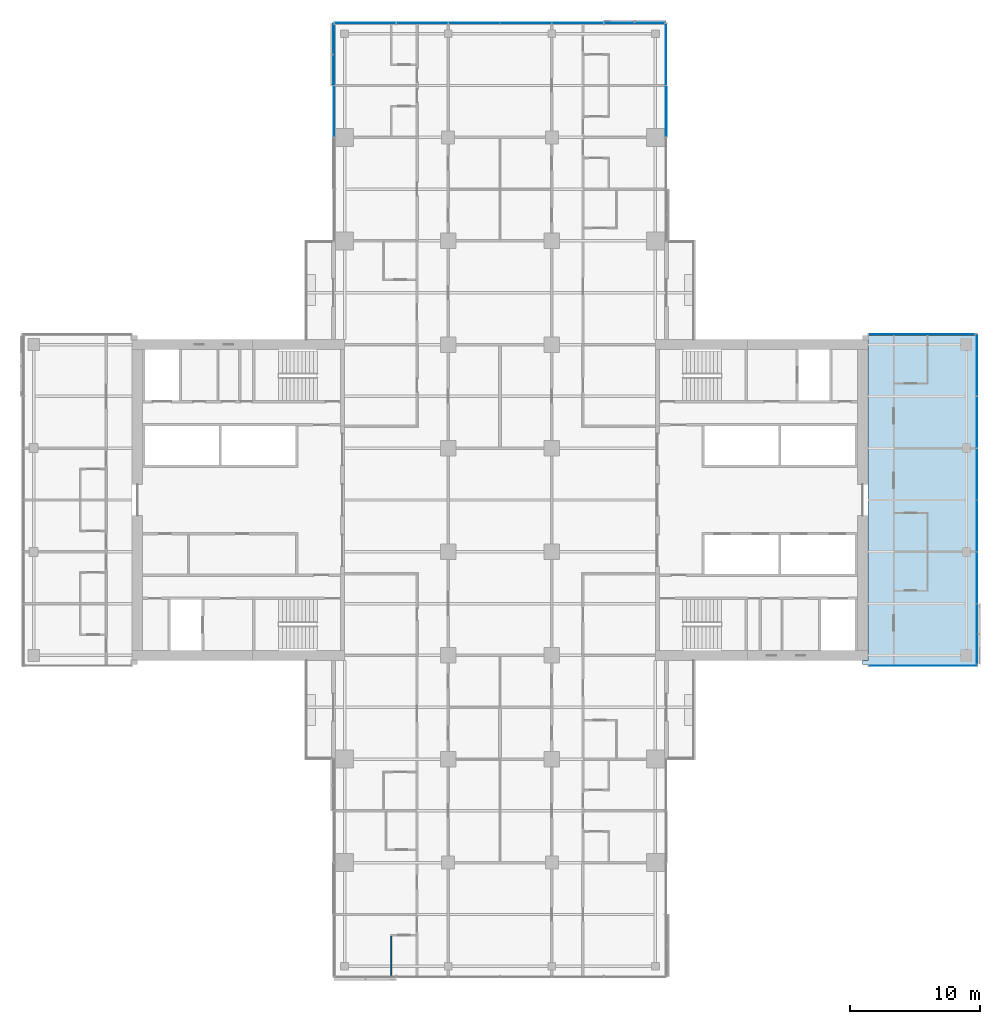
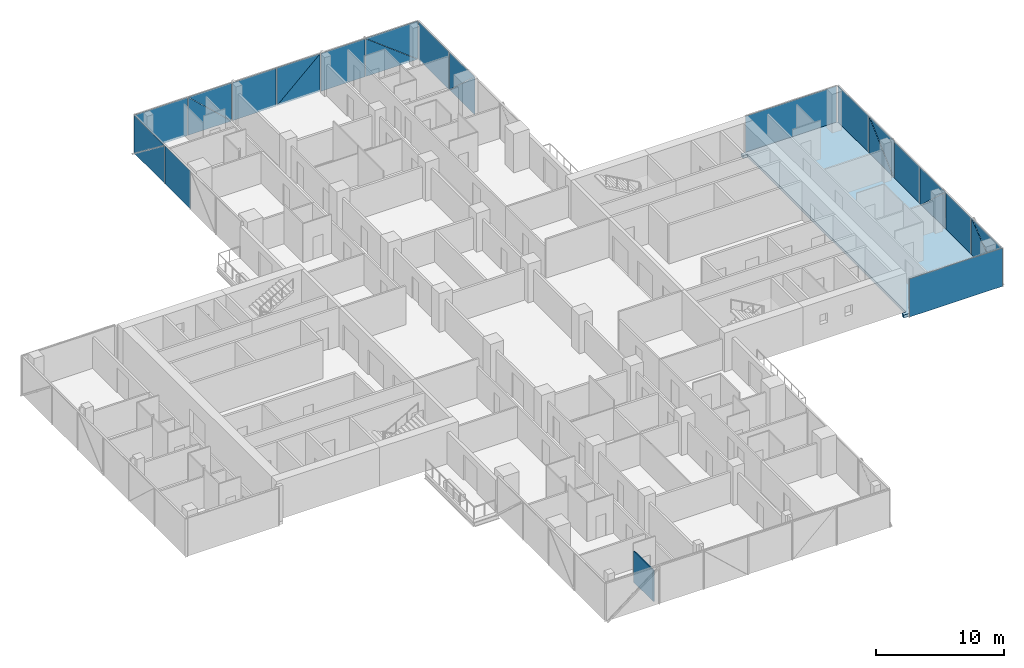
# One storey, part 14 of 27: 26 plates, 1 slab, 1 wall, 6 elements without a shape of their own.
"""IFC4 building model written with IfcOpenShell, lengths in metres."""

from ifc_helpers import new_model, si_unit, direction, frame, frame_2d, origin, place, context, subcontext, project, spatial, polyline, rectangle, outline, extrude, material, layer, layer_set, type_object, element, aggregate, save


model = new_model("IFC4")

# Units and contexts
model_context = context("Model", 3, precision=1e-05, world=origin(), true_north=direction((0.0, 1.0)))
body_context = subcontext(model_context, "Body", "Model", "MODEL_VIEW")
ifc_project = project(units=[si_unit("LENGTHUNIT", "METRE"), si_unit("AREAUNIT", "SQUARE_METRE"), si_unit("VOLUMEUNIT", "CUBIC_METRE"), si_unit("PLANEANGLEUNIT", "RADIAN"), si_unit("MASSUNIT", "GRAM", prefix="KILO")], contexts=[model_context])

# Site, building, storey
site_placement = place(None, origin())
site = spatial("IfcSite", under=ifc_project, at=site_placement, CompositionType="ELEMENT")
building_placement = place(site_placement, origin())
building = spatial("IfcBuilding", under=site, at=building_placement, Name="Crosswind Convention Tower", CompositionType="ELEMENT")
storey_placement = place(building_placement, frame((0.0, 0.0, 83.10009765625)))
storey = spatial("IfcBuildingStorey", under=building, at=storey_placement, Name="L15", CompositionType="ELEMENT", Elevation=83.10009765625)

# Slab
ifc_material_1 = material(Name="Concrete C40/50", Category="concrete")
ifc_layer_1 = layer(ifc_material_1, 0.280029296875)
ifc_layer_set_1 = layer_set([ifc_layer_1], Name="Concrete C40/50")
slab_type = type_object("IfcSlabType", Name="Composite floor slab 280", PredefinedType="FLOOR", material=ifc_layer_set_1)
slab_placement = place(storey_placement, frame((0.0, 0.0, -0.280029296875)))
element("IfcSlab", 1, at=slab_placement, inside=storey, type_object=slab_type, Name="Floor slab L15 part 3", PredefinedType="FLOOR", context=body_context, shape_type="SweptSolid", body=[
    extrude(outline(polyline([(153.0, 112.699951171875), (161.0, 112.699951171875), (161.699951171875, 112.699951171875), (161.699951171875, 112.0), (161.699951171875, 88.0), (161.699951171875, 87.300048828125), (161.0, 87.300048828125), (153.0, 87.300048828125), (153.0, 87.60009765625), (153.39990234375, 87.60009765625), (153.39990234375, 112.39990234375), (153.0, 112.39990234375), (153.0, 112.699951171875)])), origin(), (0.0, 0.0, 1.0), 0.280029296875),
])

# Curtain wall, plate
ifc_material_2 = material(Name="Aluminium unitised curtain wall", Category="aluminium")
curtain_wall_type_1 = type_object("IfcCurtainWallType", Name="CORE END SLOT WALL 160", PredefinedType="USERDEFINED", material=ifc_material_2)
curtain_wall_1_placement = place(storey_placement, origin())
curtain_wall_1 = element("IfcCurtainWall", 2, at=curtain_wall_1_placement, inside=storey, type_object=curtain_wall_type_1, Name="CW6 L15 E-N.1-1 slot", ObjectType="UNITISED", PredefinedType="USERDEFINED")
ifc_material_3 = material(Name="Laminated insulating glass unit", Category="glass")
ifc_layer_2 = layer(ifc_material_3, 0.02587890625)
ifc_layer_set_2 = layer_set([ifc_layer_2], Name="TRIANGULAR GLASS PANEL 26")
plate_type_1 = type_object("IfcPlateType", Name="TRIANGULAR GLASS PANEL 26", PredefinedType="CURTAIN_PANEL", material=ifc_layer_set_2)
plate_1_placement = place(storey_placement, frame((161.64990234375, 112.806640625, -0.280029296875), z_axis=(0.0, 0.999999919464, 0.00040133776), x_axis=(-1.0, 0.0, 0.0)))
plate_1 = element("IfcPlate", 3, at=plate_1_placement, type_object=plate_type_1, Name="CW6 panel 1.1", PredefinedType="CURTAIN_PANEL", context=body_context, shape_type="SweptSolid", body=[
    extrude(outline(polyline([(0.0, 0.0), (8.199951171875, 0.0), (8.199951171875, 3.6499026376985664), (0.0, 3.6499026376985664), (0.0, 0.0)])), origin(), (0.0, 0.0, -1.0), 0.02587890625),
])
aggregate(curtain_wall_1, [plate_1])

curtain_wall_2_placement = place(storey_placement, origin())
curtain_wall_2 = element("IfcCurtainWall", 4, at=curtain_wall_2_placement, inside=storey, type_object=curtain_wall_type_1, Name="CW6 L15 E-S.2-1 slot", ObjectType="UNITISED", PredefinedType="USERDEFINED")
plate_2_placement = place(storey_placement, frame((153.449951171875, 87.193359375, -0.280029296875), z_axis=(0.0, -0.999999919464, 0.00040133776), x_axis=(1.0, 0.0, 0.0)))
plate_2 = element("IfcPlate", 5, at=plate_2_placement, type_object=plate_type_1, Name="CW6 panel 1.1", PredefinedType="CURTAIN_PANEL", context=body_context, shape_type="SweptSolid", body=[
    extrude(outline(polyline([(0.0, 0.0), (8.400146484375, 0.0), (8.400146484375, 3.649902637698567), (0.0, 3.649902637698567), (0.0, 0.0)])), origin(), (0.0, 0.0, -1.0), 0.02587890625),
])
aggregate(curtain_wall_2, [plate_2])

# Curtain wall, plates
curtain_wall_type_2 = type_object("IfcCurtainWallType", Name="HOTEL UNITISED WALL 200", PredefinedType="USERDEFINED", material=ifc_material_2)
curtain_wall_3_placement = place(storey_placement, origin())
curtain_wall_3 = element("IfcCurtainWall", 6, at=curtain_wall_3_placement, inside=storey, type_object=curtain_wall_type_2, Name="CW2 L15 E-TIP 1", ObjectType="UNITISED", PredefinedType="USERDEFINED")
ifc_layer_3 = layer(ifc_material_3, 0.028076171875)
ifc_layer_set_3 = layer_set([ifc_layer_3], Name="TRIANGULAR GLASS PANEL 28")
plate_type_2 = type_object("IfcPlateType", Name="TRIANGULAR GLASS PANEL 28", PredefinedType="CURTAIN_PANEL", material=ifc_layer_set_3)
plate_3_placement = place(storey_placement, frame((161.82861328125, 91.967529296875, -0.280029296875), z_axis=(0.999999943209, 0.0, 0.000337018045), x_axis=(-0.000337018045, 0.0, 0.999999943209)))
plate_3 = element("IfcPlate", 7, at=plate_3_placement, type_object=plate_type_2, Name="CW2 panel 1.1", PredefinedType="CURTAIN_PANEL", context=body_context, shape_type="SweptSolid", body=[
    extrude(outline(polyline([(0.0, 0.0), (3.622070518199496, 0.0), (0.0, 4.58642578125), (0.0, 0.0)])), origin(), (0.0, 0.0, -1.0), 0.028076171875),
])
plate_4_placement = place(storey_placement, frame((161.857177734375, 87.364990234375, 3.35498046875), z_axis=(0.999999918233, 0.0, 0.000404394386), x_axis=(0.000404394386, 0.0, -0.999999918233)))
plate_4 = element("IfcPlate", 8, at=plate_4_placement, type_object=plate_type_2, Name="CW2 panel 1.2", PredefinedType="CURTAIN_PANEL", context=body_context, shape_type="SweptSolid", body=[
    extrude(outline(polyline([(0.0, 0.0), (3.6223147493123067, 0.0), (0.0, 4.58642578125), (0.0, 0.0)])), origin(), (0.0, 0.0, -1.0), 0.028076171875),
])
plate_5_placement = place(storey_placement, frame((161.82861328125, 92.032470703125, -0.280029296875), z_axis=(0.999999943613, 0.0, 0.00033581837), x_axis=(0.0, 1.0, 0.0)))
plate_5 = element("IfcPlate", 9, at=plate_5_placement, type_object=plate_type_2, Name="CW2 panel 2.1", PredefinedType="CURTAIN_PANEL", context=body_context, shape_type="SweptSolid", body=[
    extrude(outline(polyline([(0.0, 0.0), (3.93505859375, 0.0), (3.93505859375, 3.635009970592273), (0.0, 3.635009970592273), (0.0, 0.0)])), origin(), (0.0, 0.0, -1.0), 0.028076171875),
])
plate_6_placement = place(storey_placement, frame((161.827392578125, 99.967529296875, 3.35498046875), z_axis=(0.999999943194, 0.0, 0.000337063484), x_axis=(0.0, -1.0, 0.0)))
plate_6 = element("IfcPlate", 10, at=plate_6_placement, type_object=plate_type_2, Name="CW2 panel 3.1", PredefinedType="CURTAIN_PANEL", context=body_context, shape_type="SweptSolid", body=[
    extrude(outline(polyline([(0.0, 0.0), (3.92041015625, 0.0), (0.0, 3.62158223697723), (0.0, 0.0)])), origin(), (0.0, 0.0, -1.0), 0.028076171875),
])
plate_7_placement = place(storey_placement, frame((161.858642578125, 96.032470703125, -0.280029296875), z_axis=(0.999999918188, 0.0, 0.000404503439), x_axis=(0.0, 1.0, 0.0)))
plate_7 = element("IfcPlate", 11, at=plate_7_placement, type_object=plate_type_2, Name="CW2 panel 3.2", PredefinedType="CURTAIN_PANEL", context=body_context, shape_type="SweptSolid", body=[
    extrude(outline(polyline([(0.0, 0.0), (3.92041015625, 0.0), (0.0, 3.6213381868921792), (0.0, 0.0)])), origin(), (0.0, 0.0, -1.0), 0.028076171875),
])
plate_8_placement = place(storey_placement, frame((161.82861328125, 100.032470703125, -0.280029296875), z_axis=(0.999999943613, 0.0, 0.00033581837), x_axis=(0.0, 1.0, 0.0)))
plate_8 = element("IfcPlate", 12, at=plate_8_placement, type_object=plate_type_2, Name="CW2 panel 4.1", PredefinedType="CURTAIN_PANEL", context=body_context, shape_type="SweptSolid", body=[
    extrude(outline(polyline([(0.0, 0.0), (3.93505859375, 0.0), (3.93505859375, 3.635009970592273), (0.0, 3.635009970592273), (0.0, 0.0)])), origin(), (0.0, 0.0, -1.0), 0.028076171875),
])
plate_9_placement = place(storey_placement, frame((161.82861328125, 107.967529296875, -0.280029296875), z_axis=(0.999999943186, 0.0, 0.000337086208), x_axis=(-0.000337086208, 0.0, 0.999999943186)))
plate_9 = element("IfcPlate", 13, at=plate_9_placement, type_object=plate_type_2, Name="CW2 panel 5.1", PredefinedType="CURTAIN_PANEL", context=body_context, shape_type="SweptSolid", body=[
    extrude(outline(polyline([(0.0, 0.0), (3.6213380963660997, 0.0), (0.0, 3.920410156250001), (0.0, 0.0)])), origin(), (0.0, 0.0, -1.0), 0.028076171875),
])
plate_10_placement = place(storey_placement, frame((161.857177734375, 104.032470703125, 3.35498046875), z_axis=(0.9999999182, 0.0, 0.00040447617), x_axis=(0.00040447617, 0.0, -0.9999999182)))
plate_10 = element("IfcPlate", 14, at=plate_10_placement, type_object=plate_type_2, Name="CW2 panel 5.2", PredefinedType="CURTAIN_PANEL", context=body_context, shape_type="SweptSolid", body=[
    extrude(outline(polyline([(0.0, 0.0), (3.621582327497207, 0.0), (0.0, 3.92041015625), (0.0, 0.0)])), origin(), (0.0, 0.0, -1.0), 0.028076171875),
])
plate_11_placement = place(storey_placement, frame((161.82861328125, 108.032470703125, -0.280029296875), z_axis=(0.999999943613, 0.0, 0.00033581837), x_axis=(0.0, 1.0, 0.0)))
plate_11 = element("IfcPlate", 15, at=plate_11_placement, type_object=plate_type_2, Name="CW2 panel 6.1", PredefinedType="CURTAIN_PANEL", context=body_context, shape_type="SweptSolid", body=[
    extrude(outline(polyline([(0.0, 0.0), (4.762451171875, 0.0), (4.762451171875, 3.635009970592273), (0.0, 3.635009970592273), (0.0, 0.0)])), origin(), (0.0, 0.0, -1.0), 0.028076171875),
])
aggregate(curtain_wall_3, [plate_3, plate_4, plate_5, plate_6, plate_7, plate_8, plate_9, plate_10, plate_11])

curtain_wall_4_placement = place(storey_placement, origin())
curtain_wall_4 = element("IfcCurtainWall", 16, at=curtain_wall_4_placement, inside=storey, type_object=curtain_wall_type_2, Name="CW2 L15 N-E 1", ObjectType="UNITISED", PredefinedType="USERDEFINED")
plate_12_placement = place(storey_placement, frame((137.827392578125, 131.967529296875, 3.35498046875), z_axis=(0.999999943194, 0.0, 0.000337063484), x_axis=(0.0, -1.0, 0.0)))
plate_12 = element("IfcPlate", 17, at=plate_12_placement, type_object=plate_type_2, Name="CW2 panel 3.1", PredefinedType="CURTAIN_PANEL", context=body_context, shape_type="SweptSolid", body=[
    extrude(outline(polyline([(0.0, 0.0), (3.92041015625, 0.0), (0.0, 3.62158223697723), (0.0, 0.0)])), origin(), (0.0, 0.0, -1.0), 0.028076171875),
])
plate_13_placement = place(storey_placement, frame((137.858642578125, 128.032470703125, -0.280029296875), z_axis=(0.999999918188, 0.0, 0.000404503439), x_axis=(0.0, 1.0, 0.0)))
plate_13 = element("IfcPlate", 18, at=plate_13_placement, type_object=plate_type_2, Name="CW2 panel 3.2", PredefinedType="CURTAIN_PANEL", context=body_context, shape_type="SweptSolid", body=[
    extrude(outline(polyline([(0.0, 0.0), (3.92041015625, 0.0), (0.0, 3.6213381868921792), (0.0, 0.0)])), origin(), (0.0, 0.0, -1.0), 0.028076171875),
])
plate_14_placement = place(storey_placement, frame((137.82861328125, 132.032470703125, -0.280029296875), z_axis=(0.999999943613, 0.0, 0.00033581837), x_axis=(0.0, 1.0, 0.0)))
plate_14 = element("IfcPlate", 19, at=plate_14_placement, type_object=plate_type_2, Name="CW2 panel 4.1", PredefinedType="CURTAIN_PANEL", context=body_context, shape_type="SweptSolid", body=[
    extrude(outline(polyline([(0.0, 0.0), (4.735107421875, 0.0), (4.735107421875, 3.6350099705922725), (0.0, 3.6350099705922725), (0.0, 0.0)])), origin(), (0.0, 0.0, -1.0), 0.028076171875),
])
aggregate(curtain_wall_4, [plate_12, plate_13, plate_14])

curtain_wall_5_placement = place(storey_placement, origin())
curtain_wall_5 = element("IfcCurtainWall", 20, at=curtain_wall_5_placement, inside=storey, type_object=curtain_wall_type_2, Name="CW2 L15 N-TIP 1", ObjectType="UNITISED", PredefinedType="USERDEFINED")
plate_15_placement = place(storey_placement, frame((133.032470703125, 136.82861328125, -0.280029296875), z_axis=(0.0, 0.999999943217, 0.00033699533), x_axis=(0.0, -0.00033699533, 0.999999943217)))
plate_15 = element("IfcPlate", 21, at=plate_15_placement, type_object=plate_type_2, Name="CW2 panel 1.1", PredefinedType="CURTAIN_PANEL", context=body_context, shape_type="SweptSolid", body=[
    extrude(outline(polyline([(0.0, 0.0), (3.6223146588106325, 0.0), (0.0, 4.718505859374999), (0.0, 0.0)])), origin(), (0.0, 0.0, -1.0), 0.028076171875),
])
plate_16_placement = place(storey_placement, frame((137.767578125, 136.857177734375, 3.35498046875), z_axis=(0.0, 0.999999918244, 0.000404367132), x_axis=(0.0, 0.000404367132, -0.999999918244)))
plate_16 = element("IfcPlate", 22, at=plate_16_placement, type_object=plate_type_2, Name="CW2 panel 1.2", PredefinedType="CURTAIN_PANEL", context=body_context, shape_type="SweptSolid", body=[
    extrude(outline(polyline([(0.0, 0.0), (3.6225588899173458, 0.0), (0.0, 4.718749999999999), (0.0, 0.0)])), origin(), (0.0, 0.0, -1.0), 0.028076171875),
])
plate_17_placement = place(storey_placement, frame((132.967529296875, 136.82861328125, -0.280029296875), z_axis=(0.0, 0.999999943613, 0.00033581837), x_axis=(-1.0, 0.0, 0.0)))
plate_17 = element("IfcPlate", 23, at=plate_17_placement, type_object=plate_type_2, Name="CW2 panel 2.1", PredefinedType="CURTAIN_PANEL", context=body_context, shape_type="SweptSolid", body=[
    extrude(outline(polyline([(0.0, 0.0), (3.93505859375, 0.0), (3.93505859375, 3.635009970592273), (0.0, 3.635009970592273), (0.0, 0.0)])), origin(), (0.0, 0.0, -1.0), 0.028076171875),
])
plate_18_placement = place(storey_placement, frame((125.032470703125, 136.827392578125, 3.35498046875), z_axis=(0.0, 0.999999943194, 0.000337063484), x_axis=(1.0, 0.0, 0.0)))
plate_18 = element("IfcPlate", 24, at=plate_18_placement, type_object=plate_type_2, Name="CW2 panel 3.1", PredefinedType="CURTAIN_PANEL", context=body_context, shape_type="SweptSolid", body=[
    extrude(outline(polyline([(0.0, 0.0), (3.92041015625, 0.0), (0.0, 3.62158223697723), (0.0, 0.0)])), origin(), (0.0, 0.0, -1.0), 0.028076171875),
])
plate_19_placement = place(storey_placement, frame((128.967529296875, 136.858642578125, -0.280029296875), z_axis=(0.0, 0.999999918188, 0.000404503439), x_axis=(-1.0, 0.0, 0.0)))
plate_19 = element("IfcPlate", 25, at=plate_19_placement, type_object=plate_type_2, Name="CW2 panel 3.2", PredefinedType="CURTAIN_PANEL", context=body_context, shape_type="SweptSolid", body=[
    extrude(outline(polyline([(0.0, 0.0), (3.92041015625, 0.0), (0.0, 3.6213381868921792), (0.0, 0.0)])), origin(), (0.0, 0.0, -1.0), 0.028076171875),
])
plate_20_placement = place(storey_placement, frame((124.967529296875, 136.82861328125, -0.280029296875), z_axis=(0.0, 0.999999943613, 0.00033581837), x_axis=(-1.0, 0.0, 0.0)))
plate_20 = element("IfcPlate", 26, at=plate_20_placement, type_object=plate_type_2, Name="CW2 panel 4.1", PredefinedType="CURTAIN_PANEL", context=body_context, shape_type="SweptSolid", body=[
    extrude(outline(polyline([(0.0, 0.0), (3.93505859375, 0.0), (3.93505859375, 3.635009970592273), (0.0, 3.635009970592273), (0.0, 0.0)])), origin(), (0.0, 0.0, -1.0), 0.028076171875),
])
plate_21_placement = place(storey_placement, frame((117.032470703125, 136.82861328125, -0.280029296875), z_axis=(0.0, 0.999999943186, 0.000337086208), x_axis=(0.0, -0.000337086208, 0.999999943186)))
plate_21 = element("IfcPlate", 27, at=plate_21_placement, type_object=plate_type_2, Name="CW2 panel 5.1", PredefinedType="CURTAIN_PANEL", context=body_context, shape_type="SweptSolid", body=[
    extrude(outline(polyline([(0.0, 0.0), (3.6213380963660997, 0.0), (0.0, 3.920410156250001), (0.0, 0.0)])), origin(), (0.0, 0.0, -1.0), 0.028076171875),
])
plate_22_placement = place(storey_placement, frame((120.967529296875, 136.857177734375, 3.35498046875), z_axis=(0.0, 0.9999999182, 0.00040447617), x_axis=(0.0, 0.00040447617, -0.9999999182)))
plate_22 = element("IfcPlate", 28, at=plate_22_placement, type_object=plate_type_2, Name="CW2 panel 5.2", PredefinedType="CURTAIN_PANEL", context=body_context, shape_type="SweptSolid", body=[
    extrude(outline(polyline([(0.0, 0.0), (3.621582327497207, 0.0), (0.0, 3.92041015625), (0.0, 0.0)])), origin(), (0.0, 0.0, -1.0), 0.028076171875),
])
plate_23_placement = place(storey_placement, frame((116.967529296875, 136.82861328125, -0.280029296875), z_axis=(0.0, 0.999999943613, 0.00033581837), x_axis=(-1.0, 0.0, 0.0)))
plate_23 = element("IfcPlate", 29, at=plate_23_placement, type_object=plate_type_2, Name="CW2 panel 6.1", PredefinedType="CURTAIN_PANEL", context=body_context, shape_type="SweptSolid", body=[
    extrude(outline(polyline([(0.0, 0.0), (4.735107421875, 0.0), (4.735107421875, 3.6350099705922725), (0.0, 3.6350099705922725), (0.0, 0.0)])), origin(), (0.0, 0.0, -1.0), 0.028076171875),
])
aggregate(curtain_wall_5, [plate_15, plate_16, plate_17, plate_18, plate_19, plate_20, plate_21, plate_22, plate_23])

curtain_wall_6_placement = place(storey_placement, origin())
curtain_wall_6 = element("IfcCurtainWall", 30, at=curtain_wall_6_placement, inside=storey, type_object=curtain_wall_type_2, Name="CW2 L15 N-W 1", ObjectType="UNITISED", PredefinedType="USERDEFINED")
plate_24_placement = place(storey_placement, frame((112.17138671875, 132.032470703125, -0.280029296875), z_axis=(-0.999999943217, 0.0, 0.00033699533), x_axis=(0.00033699533, 0.0, 0.999999943217)))
plate_24 = element("IfcPlate", 31, at=plate_24_placement, type_object=plate_type_2, Name="CW2 panel 1.1", PredefinedType="CURTAIN_PANEL", context=body_context, shape_type="SweptSolid", body=[
    extrude(outline(polyline([(0.0, 0.0), (3.6223146588106325, 0.0), (0.0, 4.718505859374999), (0.0, 0.0)])), origin(), (0.0, 0.0, -1.0), 0.028076171875),
])
plate_25_placement = place(storey_placement, frame((112.142822265625, 136.767578125, 3.35498046875), z_axis=(-0.999999918244, 0.0, 0.000404367132), x_axis=(-0.000404367132, 0.0, -0.999999918244)))
plate_25 = element("IfcPlate", 32, at=plate_25_placement, type_object=plate_type_2, Name="CW2 panel 1.2", PredefinedType="CURTAIN_PANEL", context=body_context, shape_type="SweptSolid", body=[
    extrude(outline(polyline([(0.0, 0.0), (3.6225588899173458, 0.0), (0.0, 4.718749999999999), (0.0, 0.0)])), origin(), (0.0, 0.0, -1.0), 0.028076171875),
])
plate_26_placement = place(storey_placement, frame((112.17138671875, 131.967529296875, -0.280029296875), z_axis=(-0.999999943613, 0.0, 0.00033581837), x_axis=(0.0, -1.0, 0.0)))
plate_26 = element("IfcPlate", 33, at=plate_26_placement, type_object=plate_type_2, Name="CW2 panel 2.1", PredefinedType="CURTAIN_PANEL", context=body_context, shape_type="SweptSolid", body=[
    extrude(outline(polyline([(0.0, 0.0), (3.93505859375, 0.0), (3.93505859375, 3.635009970592273), (0.0, 3.635009970592273), (0.0, 0.0)])), origin(), (0.0, 0.0, -1.0), 0.028076171875),
])
aggregate(curtain_wall_6, [plate_24, plate_25, plate_26])

# Wall
ifc_material_4 = material(Name="Water-resistant plasterboard partition", Category="gypsum")
ifc_layer_4 = layer(ifc_material_4, 0.10009765625)
ifc_layer_set_4 = layer_set([ifc_layer_4], Name="WET ROOM PARTITION 100")
wall_type = type_object("IfcWallType", Name="WET ROOM PARTITION 100", PredefinedType="PLUMBINGWALL", material=ifc_layer_set_4)
wall_placement = place(storey_placement, frame((116.60009765625, 63.300048828125, 0.0), z_axis=(0.0, 0.0, 1.0), x_axis=(0.0, 1.0, 0.0)))
element("IfcWall", 34, at=wall_placement, inside=storey, type_object=wall_type, Name="Wet Room Partition 70", PredefinedType="PLUMBINGWALL", context=body_context, shape_type="SweptSolid", body=[
    extrude(rectangle(XDim=3.050048828125, YDim=0.10009765625, at=frame_2d((1.52490234375, 0.0))), origin(), (0.0, 0.0, 1.0), 2.962646484375),
])

save(model, "model.ifc")
